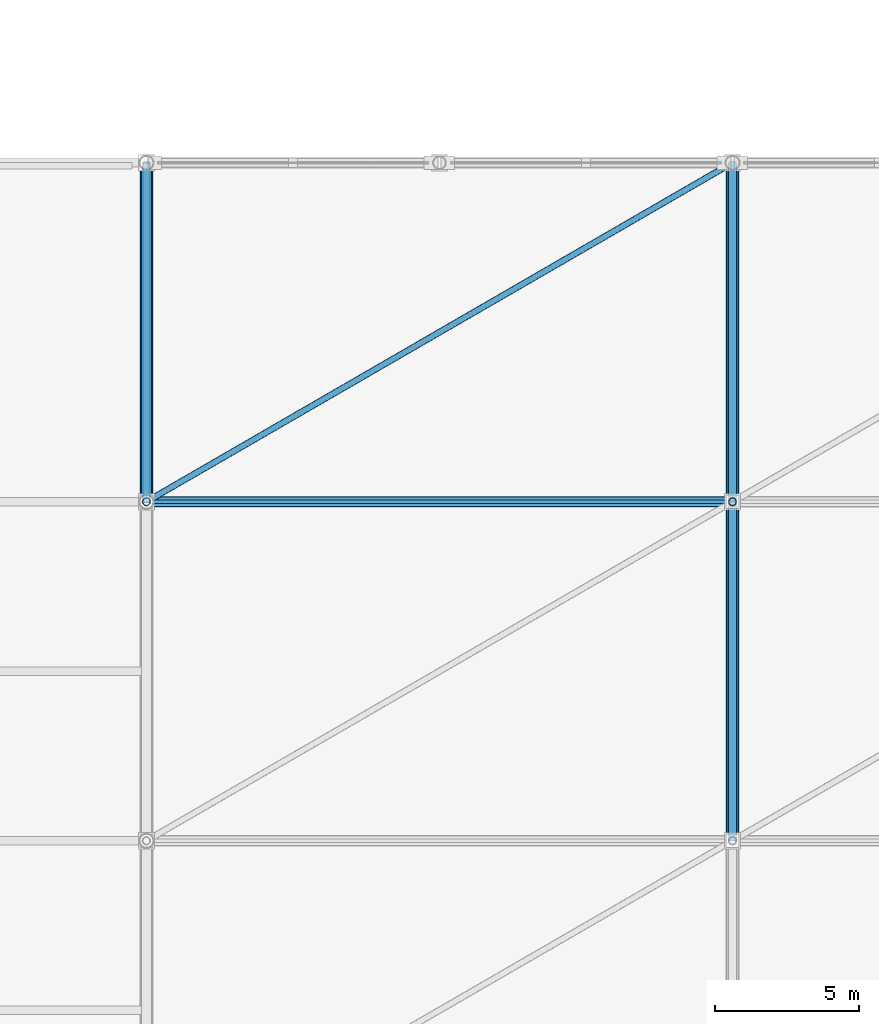
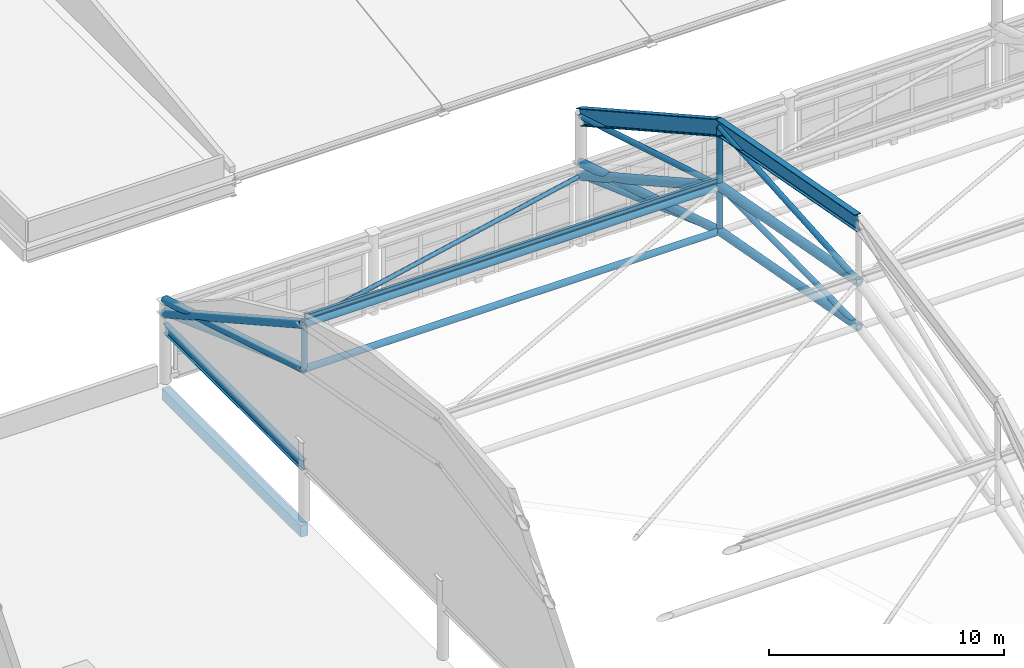
# One storey, part 68 of 135: 18 members, 4 beams.
"""IFC4 building model written with IfcOpenShell, lengths in metres."""

from ifc_helpers import new_model, si_unit, direction, frame, origin, origin_2d, place, context, subcontext, project, spatial, rectangle, hollow_circle, i_section, extrude, material, material_profile, profile_set, type_object, element, save


model = new_model("IFC4")

# Units and contexts
model_context = context("Model", 3, precision=1e-05, world=origin(), true_north=direction((0.0, 1.0)))
body_context = subcontext(model_context, "Body", "Model", "MODEL_VIEW")
ifc_project = project(units=[si_unit("LENGTHUNIT", "METRE"), si_unit("AREAUNIT", "SQUARE_METRE"), si_unit("VOLUMEUNIT", "CUBIC_METRE"), si_unit("PLANEANGLEUNIT", "RADIAN"), si_unit("MASSUNIT", "GRAM", prefix="KILO")], contexts=[model_context])

# Site, building, storey
site_placement = place(None, origin())
site = spatial("IfcSite", under=ifc_project, at=site_placement, CompositionType="ELEMENT")
building_placement = place(site_placement, origin())
building = spatial("IfcBuilding", under=site, at=building_placement, Name="Brelvane Convention Centre", CompositionType="ELEMENT")
storey_placement = place(building_placement, frame((0.0, 0.0, 15.0)))
storey = spatial("IfcBuildingStorey", under=building, at=storey_placement, Name="L03", CompositionType="ELEMENT", Elevation=15.0)

# Beams
ifc_material_1 = material(Name="Concrete M40", Category="concrete")
ifc_material_profile_1 = material_profile(ifc_material_1, rectangle(XDim=0.35009765625, YDim=0.60009765625, at=origin_2d()), Name="RC 350x600")
ifc_profile_set_1 = profile_set([ifc_material_profile_1], Name="Concrete M40")
beam_type_1 = type_object("IfcBeamType", Name="RC Spandrel SP-RC2 (RC 350x600)", PredefinedType="SPANDREL", material=ifc_profile_set_1)
beam_1_placement = place(storey_placement, frame((163.199951171875, 76.0, -0.60009765625), z_axis=(0.0, 1.0, 0.0), x_axis=(-1.0, 0.0, 0.0)))
element("IfcBeam", 1, at=beam_1_placement, inside=storey, type_object=beam_type_1, Name="L03 Girder 17/H-J", PredefinedType="SPANDREL", context=body_context, shape_type="SweptSolid", body=[
    extrude(rectangle(XDim=0.35009765625, YDim=0.60009765625, at=origin_2d()), origin(), (0.0, 0.0, 1.0), 11.800048828125),
])
ifc_material_2 = material(Name="Steel E450 (450 MPa)", Category="steel")
ifc_material_profile_2 = material_profile(ifc_material_2, i_section(OverallWidth=0.300048828125, OverallDepth=0.800048828125, WebThickness=0.015380859375, FlangeThickness=0.030029296875, FilletRadius=0.027099609375, at=origin_2d()), Name="NPB 800x300")
ifc_profile_set_2 = profile_set([ifc_material_profile_2], Name="Steel E450 (450 MPa)")
beam_type_2 = type_object("IfcBeamType", Name="Steel Beam B-ST2 (NPB 800x300)", PredefinedType="BEAM", material=ifc_profile_set_2)
beam_2_placement = place(storey_placement, frame((183.60009765625, 64.199951171875, 15.39990234375), z_axis=(0.0, 0.983061168522, -0.183277764458), x_axis=(-1.0, 0.0, 0.0)))
element("IfcBeam", 2, at=beam_2_placement, inside=storey, type_object=beam_type_2, Name="EXO_PLEN Exoskeletal Arch Girder 2.3", PredefinedType="BEAM", context=body_context, shape_type="SweptSolid", body=[
    extrude(i_section(OverallWidth=0.300048828125, OverallDepth=0.800048828125, WebThickness=0.015380859375, FlangeThickness=0.030029296875, FilletRadius=0.027099609375, at=origin_2d()), origin(), (0.0, 0.0, 1.0), 12.00341796875),
])
beam_3_placement = place(storey_placement, frame((183.60009765625, 76.0, 13.199951171875), z_axis=(0.0, 0.872763623528, -0.488143070673), x_axis=(-1.0, 0.0, 0.0)))
element("IfcBeam", 3, at=beam_3_placement, inside=storey, type_object=beam_type_2, Name="EXO_PLEN Exoskeletal Arch Girder 2.4", PredefinedType="BEAM", context=body_context, shape_type="SweptSolid", body=[
    extrude(i_section(OverallWidth=0.300048828125, OverallDepth=0.800048828125, WebThickness=0.015380859375, FlangeThickness=0.030029296875, FilletRadius=0.027099609375, at=origin_2d()), origin(), (0.0, 0.0, 1.0), 13.520263671875),
])

# Members
ifc_material_3 = material(Name="Steel E350 (350 MPa)", Category="steel")
ifc_material_profile_3 = material_profile(ifc_material_3, hollow_circle(Radius=0.136474609375, WallThickness=0.012451171875, at=origin_2d()), Name="CHS 273.0x12.5")
ifc_profile_set_3 = profile_set([ifc_material_profile_3], Name="Steel E350 (350 MPa)")
member_type_1 = type_object("IfcMemberType", Name="Steel Brace SF-DG1 (CHS 273.0x12.5)", PredefinedType="BRACE", material=ifc_profile_set_3)
member_1_placement = place(storey_placement, frame((163.199951171875, 76.0, 7.800048828125), z_axis=(0.0, 0.940582389683, -0.339565558057), x_axis=(-1.0, 0.0, 0.0)))
element("IfcMember", 4, at=member_1_placement, inside=storey, type_object=member_type_1, Name="SF_PLEN Space-Frame Web Diagonal D1.4", PredefinedType="BRACE", context=body_context, shape_type="SweptSolid", body=[
    extrude(hollow_circle(Radius=0.136474609375, WallThickness=0.012451171875, at=origin_2d()), origin(), (0.0, 0.0, 1.0), 12.54541015625),
])
member_2_placement = place(storey_placement, frame((183.60009765625, 64.199951171875, 10.0), z_axis=(0.0, 0.999929733881, 0.011854421151), x_axis=(-1.0, 0.0, 0.0)))
element("IfcMember", 5, at=member_2_placement, inside=storey, type_object=member_type_1, Name="SF_PLEN Space-Frame Web Diagonal D2.3", PredefinedType="BRACE", context=body_context, shape_type="SweptSolid", body=[
    extrude(hollow_circle(Radius=0.136474609375, WallThickness=0.012451171875, at=origin_2d()), origin(), (0.0, 0.0, 1.0), 11.80078125),
])
member_3_placement = place(storey_placement, frame((183.60009765625, 76.0, 7.800048828125), z_axis=(0.0, 0.940582389683, -0.339565558057), x_axis=(-1.0, 0.0, 0.0)))
element("IfcMember", 6, at=member_3_placement, inside=storey, type_object=member_type_1, Name="SF_PLEN Space-Frame Web Diagonal D2.4", PredefinedType="BRACE", context=body_context, shape_type="SweptSolid", body=[
    extrude(hollow_circle(Radius=0.136474609375, WallThickness=0.012451171875, at=origin_2d()), origin(), (0.0, 0.0, 1.0), 12.54541015625),
])
member_4_placement = place(storey_placement, frame((183.60009765625, 64.199951171875, 12.340087890625), z_axis=(0.0, 0.997355547117, 0.07267676819), x_axis=(-1.0, 0.0, 0.0)))
element("IfcMember", 7, at=member_4_placement, inside=storey, type_object=member_type_1, Name="EXO_PLEN Exoskeletal Arch Web 2.3", PredefinedType="BRACE", context=body_context, shape_type="SweptSolid", body=[
    extrude(hollow_circle(Radius=0.136474609375, WallThickness=0.012451171875, at=origin_2d()), origin(), (0.0, 0.0, 1.0), 11.831298828125),
])
member_5_placement = place(storey_placement, frame((183.60009765625, 76.0, 10.139892578125), z_axis=(0.0, 0.957831193962, -0.287331522588), x_axis=(-1.0, 0.0, 0.0)))
element("IfcMember", 8, at=member_5_placement, inside=storey, type_object=member_type_1, Name="EXO_PLEN Exoskeletal Arch Web 2.4", PredefinedType="BRACE", context=body_context, shape_type="SweptSolid", body=[
    extrude(hollow_circle(Radius=0.136474609375, WallThickness=0.012451171875, at=origin_2d()), origin(), (0.0, 0.0, 1.0), 12.319580078125),
])
ifc_material_4 = material(Name="Steel E350 (350 MPa)", Category="steel")
ifc_material_profile_4 = material_profile(ifc_material_4, hollow_circle(Radius=0.109619140625, WallThickness=0.010009765625, at=origin_2d()), Name="CHS 219.1x10.0")
ifc_profile_set_4 = profile_set([ifc_material_profile_4], Name="Steel E350 (350 MPa)")
member_type_2 = type_object("IfcMemberType", Name="Steel Brace SF-DG2 (CHS 219.1x10.0)", PredefinedType="BRACE", material=ifc_profile_set_4)
member_6_placement = place(storey_placement, frame((163.199951171875, 76.0, 10.139892578125), z_axis=(0.833551605498, 0.482150932258, -0.269670538798), x_axis=(-0.500700562715, 0.865620555727, 0.0)))
element("IfcMember", 9, at=member_6_placement, inside=storey, type_object=member_type_2, Name="SF_PLEN Roof Diaphragm Brace PB1.4", PredefinedType="BRACE", context=body_context, shape_type="SweptSolid", body=[
    extrude(hollow_circle(Radius=0.109619140625, WallThickness=0.010009765625, at=origin_2d()), origin(), (0.0, 0.0, 1.0), 24.473876953125),
])
ifc_material_5 = material(Name="Steel E450 (450 MPa)", Category="steel")
ifc_material_profile_5 = material_profile(ifc_material_5, hollow_circle(Radius=0.203125, WallThickness=0.01611328125, at=origin_2d()), Name="CHS 406.4x16.0")
ifc_profile_set_5 = profile_set([ifc_material_profile_5], Name="Steel E450 (450 MPa)")
member_type_3 = type_object("IfcMemberType", Name="Steel Chord SF-BC1 (CHS 406.4x16.0)", PredefinedType="CHORD", material=ifc_profile_set_5)
member_7_placement = place(storey_placement, frame((163.199951171875, 76.0, 7.800048828125), z_axis=(0.0, 0.956475457798, -0.291812780102), x_axis=(-1.0, 0.0, 0.0)))
element("IfcMember", 10, at=member_7_placement, inside=storey, type_object=member_type_3, Name="SF_PLEN Space-Frame Bottom Chord B1.4", PredefinedType="CHORD", context=body_context, shape_type="SweptSolid", body=[
    extrude(hollow_circle(Radius=0.203125, WallThickness=0.01611328125, at=origin_2d()), origin(), (0.0, 0.0, 1.0), 12.3369140625),
])
member_8_placement = place(storey_placement, frame((183.60009765625, 64.199951171875, 10.0), z_axis=(0.0, 0.983061168522, -0.183277764458), x_axis=(-1.0, 0.0, 0.0)))
element("IfcMember", 11, at=member_8_placement, inside=storey, type_object=member_type_3, Name="SF_PLEN Space-Frame Bottom Chord B2.3", PredefinedType="CHORD", context=body_context, shape_type="SweptSolid", body=[
    extrude(hollow_circle(Radius=0.203125, WallThickness=0.01611328125, at=origin_2d()), origin(), (0.0, 0.0, 1.0), 12.00341796875),
])
member_9_placement = place(storey_placement, frame((183.60009765625, 76.0, 7.800048828125), z_axis=(0.0, 0.956475457798, -0.291812780102), x_axis=(-1.0, 0.0, 0.0)))
element("IfcMember", 12, at=member_9_placement, inside=storey, type_object=member_type_3, Name="SF_PLEN Space-Frame Bottom Chord B2.4", PredefinedType="CHORD", context=body_context, shape_type="SweptSolid", body=[
    extrude(hollow_circle(Radius=0.203125, WallThickness=0.01611328125, at=origin_2d()), origin(), (0.0, 0.0, 1.0), 12.3369140625),
])
ifc_material_6 = material(Name="Steel E350 (350 MPa)", Category="steel")
ifc_material_profile_6 = material_profile(ifc_material_6, hollow_circle(Radius=0.161865234375, WallThickness=0.012451171875, at=origin_2d()), Name="CHS 323.9x12.5")
ifc_profile_set_6 = profile_set([ifc_material_profile_6], Name="Steel E350 (350 MPa)")
member_type_4 = type_object("IfcMemberType", Name="Steel Chord SF-BC2 (CHS 323.9x12.5)", PredefinedType="CHORD", material=ifc_profile_set_6)
member_10_placement = place(storey_placement, frame((163.199951171875, 76.0, 7.800048828125), z_axis=(1.0, 0.0, 0.0), x_axis=(0.0, 1.0, 0.0)))
element("IfcMember", 13, at=member_10_placement, inside=storey, type_object=member_type_4, Name="SF_PLEN Longitudinal Bottom Chord LB1.4", PredefinedType="CHORD", context=body_context, shape_type="SweptSolid", body=[
    extrude(hollow_circle(Radius=0.161865234375, WallThickness=0.012451171875, at=origin_2d()), origin(), (0.0, 0.0, 1.0), 20.400146484375),
])
ifc_material_7 = material(Name="Steel E450 (450 MPa)", Category="steel")
ifc_material_profile_7 = material_profile(ifc_material_7, hollow_circle(Radius=0.228515625, WallThickness=0.02001953125, at=origin_2d()), Name="CHS 457.0x20.0")
ifc_profile_set_7 = profile_set([ifc_material_profile_7], Name="Steel E450 (450 MPa)")
member_type_5 = type_object("IfcMemberType", Name="Steel Chord SF-TC1 (CHS 457.0x20.0)", PredefinedType="CHORD", material=ifc_profile_set_7)
member_11_placement = place(storey_placement, frame((163.199951171875, 76.0, 10.139892578125), z_axis=(0.0, 0.872763623528, -0.488143070673), x_axis=(-1.0, 0.0, 0.0)))
element("IfcMember", 14, at=member_11_placement, inside=storey, type_object=member_type_5, Name="SF_PLEN Space-Frame Top Chord T1.4", PredefinedType="CHORD", context=body_context, shape_type="SweptSolid", body=[
    extrude(hollow_circle(Radius=0.228515625, WallThickness=0.02001953125, at=origin_2d()), origin(), (0.0, 0.0, 1.0), 13.520263671875),
])
member_12_placement = place(storey_placement, frame((183.60009765625, 64.199951171875, 12.340087890625), z_axis=(0.0, 0.983057503734, -0.183297420472), x_axis=(-1.0, 0.0, 0.0)))
element("IfcMember", 15, at=member_12_placement, inside=storey, type_object=member_type_5, Name="SF_PLEN Space-Frame Top Chord T2.3", PredefinedType="CHORD", context=body_context, shape_type="SweptSolid", body=[
    extrude(hollow_circle(Radius=0.228515625, WallThickness=0.02001953125, at=origin_2d()), origin(), (0.0, 0.0, 1.0), 12.00341796875),
])
member_13_placement = place(storey_placement, frame((183.60009765625, 76.0, 10.139892578125), z_axis=(0.0, 0.872763623528, -0.488143070673), x_axis=(-1.0, 0.0, 0.0)))
element("IfcMember", 16, at=member_13_placement, inside=storey, type_object=member_type_5, Name="SF_PLEN Space-Frame Top Chord T2.4", PredefinedType="CHORD", context=body_context, shape_type="SweptSolid", body=[
    extrude(hollow_circle(Radius=0.228515625, WallThickness=0.02001953125, at=origin_2d()), origin(), (0.0, 0.0, 1.0), 13.520263671875),
])
ifc_material_8 = material(Name="Steel E450 (450 MPa)", Category="steel")
ifc_material_profile_8 = material_profile(ifc_material_8, hollow_circle(Radius=0.177734375, WallThickness=0.01611328125, at=origin_2d()), Name="CHS 355.6x16.0")
ifc_profile_set_8 = profile_set([ifc_material_profile_8], Name="Steel E450 (450 MPa)")
member_type_6 = type_object("IfcMemberType", Name="Steel Chord SF-TC2 (CHS 355.6x16.0)", PredefinedType="CHORD", material=ifc_profile_set_8)
member_14_placement = place(storey_placement, frame((163.199951171875, 76.0, 10.139892578125), z_axis=(1.0, 0.0, 0.0), x_axis=(0.0, 1.0, 0.0)))
element("IfcMember", 17, at=member_14_placement, inside=storey, type_object=member_type_6, Name="SF_PLEN Longitudinal Top Chord LT1.4", PredefinedType="CHORD", context=body_context, shape_type="SweptSolid", body=[
    extrude(hollow_circle(Radius=0.177734375, WallThickness=0.01611328125, at=origin_2d()), origin(), (0.0, 0.0, 1.0), 20.400146484375),
])
ifc_material_9 = material(Name="Steel E350 (350 MPa)", Category="steel")
ifc_material_profile_9 = material_profile(ifc_material_9, i_section(OverallWidth=0.125, OverallDepth=0.25, WebThickness=0.0068359375, FlangeThickness=0.012451171875, FilletRadius=0.012939453125, at=origin_2d()), Name="ISMB 250")
ifc_profile_set_9 = profile_set([ifc_material_profile_9], Name="Steel E350 (350 MPa)")
member_type_7 = type_object("IfcMemberType", Name="Steel Purlin PR-ST1 (ISMB 250)", PredefinedType="PURLIN", material=ifc_profile_set_9)
member_15_placement = place(storey_placement, frame((163.199951171875, 76.0, 10.47509765625), z_axis=(1.0, 0.0, 0.0), x_axis=(0.0, 1.0, 0.0)))
element("IfcMember", 18, at=member_15_placement, inside=storey, type_object=member_type_7, Name="SF_PLEN Roof Purlin P1.4", PredefinedType="PURLIN", context=body_context, shape_type="SweptSolid", body=[
    extrude(i_section(OverallWidth=0.125, OverallDepth=0.25, WebThickness=0.0068359375, FlangeThickness=0.012451171875, FilletRadius=0.012939453125, at=origin_2d()), origin(), (0.0, 0.0, 1.0), 20.400146484375),
])

# Beam
ifc_material_10 = material(Name="Steel E350 (350 MPa)", Category="steel")
ifc_material_profile_10 = material_profile(ifc_material_10, i_section(OverallWidth=0.25, OverallDepth=0.5, WebThickness=0.010009765625, FlangeThickness=0.0146484375, FilletRadius=0.01611328125, at=origin_2d()), Name="ISWB 500")
ifc_profile_set_10 = profile_set([ifc_material_profile_10], Name="Steel E350 (350 MPa)")
beam_type_3 = type_object("IfcBeamType", Name="Steel Spandrel SP-ST1 (ISWB 500)", PredefinedType="SPANDREL", material=ifc_profile_set_10)
beam_4_placement = place(storey_placement, frame((163.199951171875, 76.0, 2.800048828125), z_axis=(0.0, 1.0, 0.0), x_axis=(-1.0, 0.0, 0.0)))
element("IfcBeam", 19, at=beam_4_placement, inside=storey, type_object=beam_type_3, Name="Plenary Gable Tie Girder W-4", PredefinedType="SPANDREL", context=body_context, shape_type="SweptSolid", body=[
    extrude(i_section(OverallWidth=0.25, OverallDepth=0.5, WebThickness=0.010009765625, FlangeThickness=0.0146484375, FilletRadius=0.01611328125, at=origin_2d()), origin(), (0.0, 0.0, 1.0), 11.800048828125),
])

# Members
ifc_material_11 = material(Name="Steel E350 (350 MPa)", Category="steel")
ifc_material_profile_11 = material_profile(ifc_material_11, hollow_circle(Radius=0.136474609375, WallThickness=0.012451171875, at=origin_2d()), Name="CHS 273.0x12.5")
ifc_profile_set_11 = profile_set([ifc_material_profile_11], Name="Steel E350 (350 MPa)")
member_type_8 = type_object("IfcMemberType", Name="Steel Strut SF-VT1 (CHS 273.0x12.5)", PredefinedType="STRUT", material=ifc_profile_set_11)
for number, where, z_axis, x_axis, name in (
    (20, (163.199951171875, 76.0, 7.800048828125), (0.0, 0.0, 1.0), (1.0, 0.0, 0.0), "SF_PLEN Space-Frame Post V1.3"),
    (21, (183.60009765625, 76.0, 7.800048828125), (0.0, 0.0, 1.0), (1.0, 0.0, 0.0), "SF_PLEN Space-Frame Post V2.3"),
):
    element("IfcMember", number, at=place(storey_placement, frame(where, z_axis=z_axis, x_axis=x_axis)), inside=storey, type_object=member_type_8, Name=name, PredefinedType="STRUT", context=body_context, shape_type="SweptSolid", body=[
        extrude(hollow_circle(Radius=0.136474609375, WallThickness=0.012451171875, at=origin_2d()), origin(), (0.0, 0.0, 1.0), 2.33984375),
    ])
member_16_placement = place(storey_placement, frame((183.60009765625, 76.0, 10.139892578125), z_axis=(0.0, 0.0, 1.0), x_axis=(1.0, 0.0, 0.0)))
element("IfcMember", 22, at=member_16_placement, inside=storey, type_object=member_type_8, Name="EXO_PLEN Roof Suspension Hanger 2.3", PredefinedType="STRUT", context=body_context, shape_type="SweptSolid", body=[
    extrude(hollow_circle(Radius=0.136474609375, WallThickness=0.012451171875, at=origin_2d()), origin(), (0.0, 0.0, 1.0), 3.06005859375),
])

save(model, "model.ifc")
